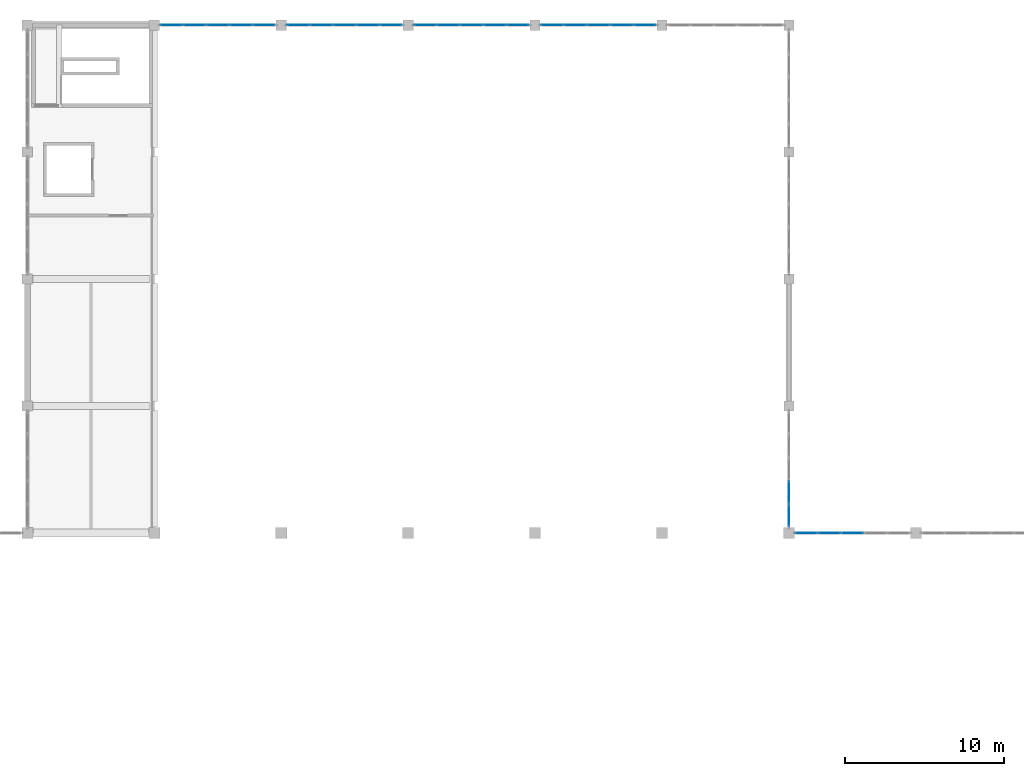
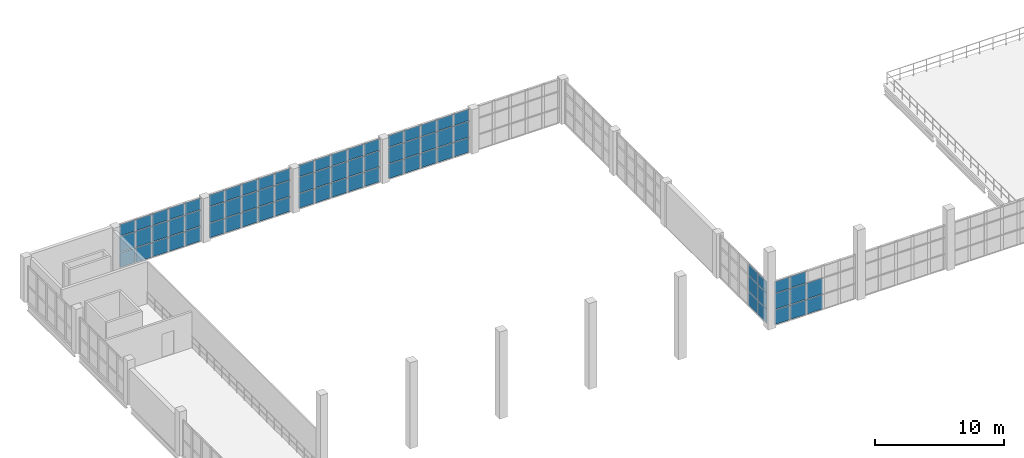
# One storey, part 39 of 66: 74 plates, 6 elements without a shape of their own.
"""IFC4 building model written with IfcOpenShell, lengths in metres."""

from ifc_helpers import new_model, si_unit, direction, frame, origin, origin_2d, place, context, subcontext, project, spatial, rectangle, extrude, material, layer, layer_set, type_object, element, aggregate, save


model = new_model("IFC4")

# Units and contexts
model_context = context("Model", 3, precision=1e-05, world=origin(), true_north=direction((0.0, 1.0)))
body_context = subcontext(model_context, "Body", "Model", "MODEL_VIEW")
ifc_project = project(units=[si_unit("LENGTHUNIT", "METRE"), si_unit("AREAUNIT", "SQUARE_METRE"), si_unit("VOLUMEUNIT", "CUBIC_METRE"), si_unit("PLANEANGLEUNIT", "RADIAN"), si_unit("MASSUNIT", "GRAM", prefix="KILO")], contexts=[model_context])

# Site, building, storey
site_placement = place(None, origin())
site = spatial("IfcSite", under=ifc_project, at=site_placement, CompositionType="ELEMENT")
building_placement = place(site_placement, origin())
building = spatial("IfcBuilding", under=site, at=building_placement, Name="Drelvana Railside Aquatics Centre", CompositionType="ELEMENT")
storey_placement = place(building_placement, frame((0.0, 0.0, 10.199951171875)))
storey = spatial("IfcBuildingStorey", under=building, at=storey_placement, Name="L02", CompositionType="ELEMENT", Elevation=10.199951171875)

# Curtain wall, plates
ifc_material_1 = material(Name="Bronze-anodised aluminium curtain wall", Category="aluminium")
ifc_layer_1 = layer(ifc_material_1, 0.219970703125, Name="Bronze-anodised aluminium curtain wall")
ifc_layer_set_1 = layer_set([ifc_layer_1], Name="Bronze-anodised aluminium curtain wall")
curtain_wall_type = type_object("IfcCurtainWallType", Name="CW-Z3-HIGH", PredefinedType="NOTDEFINED", material=ifc_layer_set_1)
curtain_wall_1_placement = place(storey_placement, origin())
curtain_wall_1 = element("IfcCurtainWall", 1, at=curtain_wall_1_placement, inside=storey, type_object=curtain_wall_type, Name="Curtain wall CW-03-022", PredefinedType="NOTDEFINED")
ifc_material_2 = material(Name="Double-glazed low-e solar-control glass", Category="glass")
ifc_layer_2 = layer(ifc_material_2, 0.035888671875, Name="Double-glazed low-e solar-control glass")
ifc_layer_set_2 = layer_set([ifc_layer_2], Name="Double-glazed low-e solar-control glass")
plate_type = type_object("IfcPlateType", Name="CW-Z3-HIGH-PAN", PredefinedType="CURTAIN_PANEL", material=ifc_layer_set_2)
plate_1_placement = place(storey_placement, frame((73.09521484375, 84.0, 0.06396484375), z_axis=(0.0, 0.0, 1.0), x_axis=(1.0, 0.0, 0.0)))
plate_1 = element("IfcPlate", 2, at=plate_1_placement, type_object=plate_type, Name="CW-03 panel 1.1", PredefinedType="CURTAIN_PANEL", context=body_context, shape_type="SweptSolid", body=[
    extrude(rectangle(XDim=1.352294921875, YDim=0.035888671875, at=origin_2d()), origin(), (0.0, 0.0, 1.0), 1.366455078125),
])
plate_2_placement = place(storey_placement, frame((73.09521484375, 84.0, 1.49560546875), z_axis=(0.0, 0.0, 1.0), x_axis=(1.0, 0.0, 0.0)))
plate_2 = element("IfcPlate", 3, at=plate_2_placement, type_object=plate_type, Name="CW-03 panel 1.2", PredefinedType="CURTAIN_PANEL", context=body_context, shape_type="SweptSolid", body=[
    extrude(rectangle(XDim=1.352294921875, YDim=0.035888671875, at=origin_2d()), origin(), (0.0, 0.0, 1.0), 1.487060546875),
])
plate_3_placement = place(storey_placement, frame((73.09521484375, 84.0, 3.04736328125), z_axis=(0.0, 0.0, 1.0), x_axis=(1.0, 0.0, 0.0)))
plate_3 = element("IfcPlate", 4, at=plate_3_placement, type_object=plate_type, Name="CW-03 panel 1.3", PredefinedType="CURTAIN_PANEL", context=body_context, shape_type="SweptSolid", body=[
    extrude(rectangle(XDim=1.352294921875, YDim=0.035888671875, at=origin_2d()), origin(), (0.0, 0.0, 1.0), 1.072509765625),
])
plate_4_placement = place(storey_placement, frame((74.53759765625, 84.0, 0.06396484375), z_axis=(0.0, 0.0, 1.0), x_axis=(1.0, 0.0, 0.0)))
plate_4 = element("IfcPlate", 5, at=plate_4_placement, type_object=plate_type, Name="CW-03 panel 2.1", PredefinedType="CURTAIN_PANEL", context=body_context, shape_type="SweptSolid", body=[
    extrude(rectangle(XDim=1.392333984375, YDim=0.035888671875, at=origin_2d()), origin(), (0.0, 0.0, 1.0), 1.366455078125),
])
plate_5_placement = place(storey_placement, frame((74.53759765625, 84.0, 1.49560546875), z_axis=(0.0, 0.0, 1.0), x_axis=(1.0, 0.0, 0.0)))
plate_5 = element("IfcPlate", 6, at=plate_5_placement, type_object=plate_type, Name="CW-03 panel 2.2", PredefinedType="CURTAIN_PANEL", context=body_context, shape_type="SweptSolid", body=[
    extrude(rectangle(XDim=1.392333984375, YDim=0.035888671875, at=origin_2d()), origin(), (0.0, 0.0, 1.0), 1.487060546875),
])
plate_6_placement = place(storey_placement, frame((74.53759765625, 84.0, 3.04736328125), z_axis=(0.0, 0.0, 1.0), x_axis=(1.0, 0.0, 0.0)))
plate_6 = element("IfcPlate", 7, at=plate_6_placement, type_object=plate_type, Name="CW-03 panel 2.3", PredefinedType="CURTAIN_PANEL", context=body_context, shape_type="SweptSolid", body=[
    extrude(rectangle(XDim=1.392333984375, YDim=0.035888671875, at=origin_2d()), origin(), (0.0, 0.0, 1.0), 1.072509765625),
])
plate_7_placement = place(storey_placement, frame((76.0, 84.0, 0.06396484375), z_axis=(0.0, 0.0, 1.0), x_axis=(1.0, 0.0, 0.0)))
plate_7 = element("IfcPlate", 8, at=plate_7_placement, type_object=plate_type, Name="CW-03 panel 3.1", PredefinedType="CURTAIN_PANEL", context=body_context, shape_type="SweptSolid", body=[
    extrude(rectangle(XDim=1.392333984375, YDim=0.035888671875, at=origin_2d()), origin(), (0.0, 0.0, 1.0), 1.366455078125),
])
plate_8_placement = place(storey_placement, frame((76.0, 84.0, 1.49560546875), z_axis=(0.0, 0.0, 1.0), x_axis=(1.0, 0.0, 0.0)))
plate_8 = element("IfcPlate", 9, at=plate_8_placement, type_object=plate_type, Name="CW-03 panel 3.2", PredefinedType="CURTAIN_PANEL", context=body_context, shape_type="SweptSolid", body=[
    extrude(rectangle(XDim=1.392333984375, YDim=0.035888671875, at=origin_2d()), origin(), (0.0, 0.0, 1.0), 1.487060546875),
])
aggregate(curtain_wall_1, [plate_1, plate_2, plate_3, plate_4, plate_5, plate_6, plate_7, plate_8])

curtain_wall_2_placement = place(storey_placement, origin())
curtain_wall_2 = element("IfcCurtainWall", 10, at=curtain_wall_2_placement, inside=storey, type_object=curtain_wall_type, Name="Curtain wall CW-03-030", PredefinedType="NOTDEFINED")
plate_9_placement = place(storey_placement, frame((33.0751953125, 116.0, 0.06396484375), z_axis=(0.0, 0.0, 1.0), x_axis=(1.0, 0.0, 0.0)))
plate_9 = element("IfcPlate", 11, at=plate_9_placement, type_object=plate_type, Name="CW-03 panel 1.1", PredefinedType="CURTAIN_PANEL", context=body_context, shape_type="SweptSolid", body=[
    extrude(rectangle(XDim=1.3623046875, YDim=0.035888671875, at=origin_2d()), origin(), (0.0, 0.0, 1.0), 1.366455078125),
])
plate_10_placement = place(storey_placement, frame((33.0751953125, 116.0, 1.49560546875), z_axis=(0.0, 0.0, 1.0), x_axis=(1.0, 0.0, 0.0)))
plate_10 = element("IfcPlate", 12, at=plate_10_placement, type_object=plate_type, Name="CW-03 panel 1.2", PredefinedType="CURTAIN_PANEL", context=body_context, shape_type="SweptSolid", body=[
    extrude(rectangle(XDim=1.3623046875, YDim=0.035888671875, at=origin_2d()), origin(), (0.0, 0.0, 1.0), 1.487060546875),
])
plate_11_placement = place(storey_placement, frame((33.0751953125, 116.0, 3.04736328125), z_axis=(0.0, 0.0, 1.0), x_axis=(1.0, 0.0, 0.0)))
plate_11 = element("IfcPlate", 13, at=plate_11_placement, type_object=plate_type, Name="CW-03 panel 1.3", PredefinedType="CURTAIN_PANEL", context=body_context, shape_type="SweptSolid", body=[
    extrude(rectangle(XDim=1.3623046875, YDim=0.035888671875, at=origin_2d()), origin(), (0.0, 0.0, 1.0), 1.072509765625),
])
plate_12_placement = place(storey_placement, frame((34.527587890625, 116.0, 0.06396484375), z_axis=(0.0, 0.0, 1.0), x_axis=(1.0, 0.0, 0.0)))
plate_12 = element("IfcPlate", 14, at=plate_12_placement, type_object=plate_type, Name="CW-03 panel 2.1", PredefinedType="CURTAIN_PANEL", context=body_context, shape_type="SweptSolid", body=[
    extrude(rectangle(XDim=1.40234375, YDim=0.035888671875, at=origin_2d()), origin(), (0.0, 0.0, 1.0), 1.366455078125),
])
plate_13_placement = place(storey_placement, frame((34.527587890625, 116.0, 1.49560546875), z_axis=(0.0, 0.0, 1.0), x_axis=(1.0, 0.0, 0.0)))
plate_13 = element("IfcPlate", 15, at=plate_13_placement, type_object=plate_type, Name="CW-03 panel 2.2", PredefinedType="CURTAIN_PANEL", context=body_context, shape_type="SweptSolid", body=[
    extrude(rectangle(XDim=1.40234375, YDim=0.035888671875, at=origin_2d()), origin(), (0.0, 0.0, 1.0), 1.487060546875),
])
plate_14_placement = place(storey_placement, frame((34.527587890625, 116.0, 3.04736328125), z_axis=(0.0, 0.0, 1.0), x_axis=(1.0, 0.0, 0.0)))
plate_14 = element("IfcPlate", 16, at=plate_14_placement, type_object=plate_type, Name="CW-03 panel 2.3", PredefinedType="CURTAIN_PANEL", context=body_context, shape_type="SweptSolid", body=[
    extrude(rectangle(XDim=1.40234375, YDim=0.035888671875, at=origin_2d()), origin(), (0.0, 0.0, 1.0), 1.072509765625),
])
plate_15_placement = place(storey_placement, frame((36.0, 116.0, 0.06396484375), z_axis=(0.0, 0.0, 1.0), x_axis=(1.0, 0.0, 0.0)))
plate_15 = element("IfcPlate", 17, at=plate_15_placement, type_object=plate_type, Name="CW-03 panel 3.1", PredefinedType="CURTAIN_PANEL", context=body_context, shape_type="SweptSolid", body=[
    extrude(rectangle(XDim=1.40234375, YDim=0.035888671875, at=origin_2d()), origin(), (0.0, 0.0, 1.0), 1.366455078125),
])
plate_16_placement = place(storey_placement, frame((36.0, 116.0, 1.49560546875), z_axis=(0.0, 0.0, 1.0), x_axis=(1.0, 0.0, 0.0)))
plate_16 = element("IfcPlate", 18, at=plate_16_placement, type_object=plate_type, Name="CW-03 panel 3.2", PredefinedType="CURTAIN_PANEL", context=body_context, shape_type="SweptSolid", body=[
    extrude(rectangle(XDim=1.40234375, YDim=0.035888671875, at=origin_2d()), origin(), (0.0, 0.0, 1.0), 1.487060546875),
])
plate_17_placement = place(storey_placement, frame((36.0, 116.0, 3.04736328125), z_axis=(0.0, 0.0, 1.0), x_axis=(1.0, 0.0, 0.0)))
plate_17 = element("IfcPlate", 19, at=plate_17_placement, type_object=plate_type, Name="CW-03 panel 3.3", PredefinedType="CURTAIN_PANEL", context=body_context, shape_type="SweptSolid", body=[
    extrude(rectangle(XDim=1.40234375, YDim=0.035888671875, at=origin_2d()), origin(), (0.0, 0.0, 1.0), 1.072509765625),
])
plate_18_placement = place(storey_placement, frame((37.472412109375, 116.0, 0.06396484375), z_axis=(0.0, 0.0, 1.0), x_axis=(1.0, 0.0, 0.0)))
plate_18 = element("IfcPlate", 20, at=plate_18_placement, type_object=plate_type, Name="CW-03 panel 4.1", PredefinedType="CURTAIN_PANEL", context=body_context, shape_type="SweptSolid", body=[
    extrude(rectangle(XDim=1.40234375, YDim=0.035888671875, at=origin_2d()), origin(), (0.0, 0.0, 1.0), 1.366455078125),
])
plate_19_placement = place(storey_placement, frame((37.472412109375, 116.0, 1.49560546875), z_axis=(0.0, 0.0, 1.0), x_axis=(1.0, 0.0, 0.0)))
plate_19 = element("IfcPlate", 21, at=plate_19_placement, type_object=plate_type, Name="CW-03 panel 4.2", PredefinedType="CURTAIN_PANEL", context=body_context, shape_type="SweptSolid", body=[
    extrude(rectangle(XDim=1.40234375, YDim=0.035888671875, at=origin_2d()), origin(), (0.0, 0.0, 1.0), 1.487060546875),
])
plate_20_placement = place(storey_placement, frame((37.472412109375, 116.0, 3.04736328125), z_axis=(0.0, 0.0, 1.0), x_axis=(1.0, 0.0, 0.0)))
plate_20 = element("IfcPlate", 22, at=plate_20_placement, type_object=plate_type, Name="CW-03 panel 4.3", PredefinedType="CURTAIN_PANEL", context=body_context, shape_type="SweptSolid", body=[
    extrude(rectangle(XDim=1.40234375, YDim=0.035888671875, at=origin_2d()), origin(), (0.0, 0.0, 1.0), 1.072509765625),
])
plate_21_placement = place(storey_placement, frame((38.9248046875, 116.0, 0.06396484375), z_axis=(0.0, 0.0, 1.0), x_axis=(1.0, 0.0, 0.0)))
plate_21 = element("IfcPlate", 23, at=plate_21_placement, type_object=plate_type, Name="CW-03 panel 5.1", PredefinedType="CURTAIN_PANEL", context=body_context, shape_type="SweptSolid", body=[
    extrude(rectangle(XDim=1.3623046875, YDim=0.035888671875, at=origin_2d()), origin(), (0.0, 0.0, 1.0), 1.366455078125),
])
plate_22_placement = place(storey_placement, frame((38.9248046875, 116.0, 1.49560546875), z_axis=(0.0, 0.0, 1.0), x_axis=(1.0, 0.0, 0.0)))
plate_22 = element("IfcPlate", 24, at=plate_22_placement, type_object=plate_type, Name="CW-03 panel 5.2", PredefinedType="CURTAIN_PANEL", context=body_context, shape_type="SweptSolid", body=[
    extrude(rectangle(XDim=1.3623046875, YDim=0.035888671875, at=origin_2d()), origin(), (0.0, 0.0, 1.0), 1.487060546875),
])
plate_23_placement = place(storey_placement, frame((38.9248046875, 116.0, 3.04736328125), z_axis=(0.0, 0.0, 1.0), x_axis=(1.0, 0.0, 0.0)))
plate_23 = element("IfcPlate", 25, at=plate_23_placement, type_object=plate_type, Name="CW-03 panel 5.3", PredefinedType="CURTAIN_PANEL", context=body_context, shape_type="SweptSolid", body=[
    extrude(rectangle(XDim=1.3623046875, YDim=0.035888671875, at=origin_2d()), origin(), (0.0, 0.0, 1.0), 1.072509765625),
])
aggregate(curtain_wall_2, [plate_9, plate_10, plate_11, plate_12, plate_13, plate_14, plate_15, plate_16, plate_17, plate_18, plate_19, plate_20, plate_21, plate_22, plate_23])

curtain_wall_3_placement = place(storey_placement, origin())
curtain_wall_3 = element("IfcCurtainWall", 26, at=curtain_wall_3_placement, inside=storey, type_object=curtain_wall_type, Name="Curtain wall CW-03-033", PredefinedType="NOTDEFINED")
plate_24_placement = place(storey_placement, frame((41.0751953125, 116.0, 0.06396484375), z_axis=(0.0, 0.0, 1.0), x_axis=(1.0, 0.0, 0.0)))
plate_24 = element("IfcPlate", 27, at=plate_24_placement, type_object=plate_type, Name="CW-03 panel 1.1", PredefinedType="CURTAIN_PANEL", context=body_context, shape_type="SweptSolid", body=[
    extrude(rectangle(XDim=1.3623046875, YDim=0.035888671875, at=origin_2d()), origin(), (0.0, 0.0, 1.0), 1.366455078125),
])
plate_25_placement = place(storey_placement, frame((41.0751953125, 116.0, 1.49560546875), z_axis=(0.0, 0.0, 1.0), x_axis=(1.0, 0.0, 0.0)))
plate_25 = element("IfcPlate", 28, at=plate_25_placement, type_object=plate_type, Name="CW-03 panel 1.2", PredefinedType="CURTAIN_PANEL", context=body_context, shape_type="SweptSolid", body=[
    extrude(rectangle(XDim=1.3623046875, YDim=0.035888671875, at=origin_2d()), origin(), (0.0, 0.0, 1.0), 1.487060546875),
])
plate_26_placement = place(storey_placement, frame((41.0751953125, 116.0, 3.04736328125), z_axis=(0.0, 0.0, 1.0), x_axis=(1.0, 0.0, 0.0)))
plate_26 = element("IfcPlate", 29, at=plate_26_placement, type_object=plate_type, Name="CW-03 panel 1.3", PredefinedType="CURTAIN_PANEL", context=body_context, shape_type="SweptSolid", body=[
    extrude(rectangle(XDim=1.3623046875, YDim=0.035888671875, at=origin_2d()), origin(), (0.0, 0.0, 1.0), 1.072509765625),
])
plate_27_placement = place(storey_placement, frame((42.527587890625, 116.0, 0.06396484375), z_axis=(0.0, 0.0, 1.0), x_axis=(1.0, 0.0, 0.0)))
plate_27 = element("IfcPlate", 30, at=plate_27_placement, type_object=plate_type, Name="CW-03 panel 2.1", PredefinedType="CURTAIN_PANEL", context=body_context, shape_type="SweptSolid", body=[
    extrude(rectangle(XDim=1.40234375, YDim=0.035888671875, at=origin_2d()), origin(), (0.0, 0.0, 1.0), 1.366455078125),
])
plate_28_placement = place(storey_placement, frame((42.527587890625, 116.0, 1.49560546875), z_axis=(0.0, 0.0, 1.0), x_axis=(1.0, 0.0, 0.0)))
plate_28 = element("IfcPlate", 31, at=plate_28_placement, type_object=plate_type, Name="CW-03 panel 2.2", PredefinedType="CURTAIN_PANEL", context=body_context, shape_type="SweptSolid", body=[
    extrude(rectangle(XDim=1.40234375, YDim=0.035888671875, at=origin_2d()), origin(), (0.0, 0.0, 1.0), 1.487060546875),
])
plate_29_placement = place(storey_placement, frame((42.527587890625, 116.0, 3.04736328125), z_axis=(0.0, 0.0, 1.0), x_axis=(1.0, 0.0, 0.0)))
plate_29 = element("IfcPlate", 32, at=plate_29_placement, type_object=plate_type, Name="CW-03 panel 2.3", PredefinedType="CURTAIN_PANEL", context=body_context, shape_type="SweptSolid", body=[
    extrude(rectangle(XDim=1.40234375, YDim=0.035888671875, at=origin_2d()), origin(), (0.0, 0.0, 1.0), 1.072509765625),
])
plate_30_placement = place(storey_placement, frame((44.0, 116.0, 0.06396484375), z_axis=(0.0, 0.0, 1.0), x_axis=(1.0, 0.0, 0.0)))
plate_30 = element("IfcPlate", 33, at=plate_30_placement, type_object=plate_type, Name="CW-03 panel 3.1", PredefinedType="CURTAIN_PANEL", context=body_context, shape_type="SweptSolid", body=[
    extrude(rectangle(XDim=1.40234375, YDim=0.035888671875, at=origin_2d()), origin(), (0.0, 0.0, 1.0), 1.366455078125),
])
plate_31_placement = place(storey_placement, frame((44.0, 116.0, 1.49560546875), z_axis=(0.0, 0.0, 1.0), x_axis=(1.0, 0.0, 0.0)))
plate_31 = element("IfcPlate", 34, at=plate_31_placement, type_object=plate_type, Name="CW-03 panel 3.2", PredefinedType="CURTAIN_PANEL", context=body_context, shape_type="SweptSolid", body=[
    extrude(rectangle(XDim=1.40234375, YDim=0.035888671875, at=origin_2d()), origin(), (0.0, 0.0, 1.0), 1.487060546875),
])
plate_32_placement = place(storey_placement, frame((44.0, 116.0, 3.04736328125), z_axis=(0.0, 0.0, 1.0), x_axis=(1.0, 0.0, 0.0)))
plate_32 = element("IfcPlate", 35, at=plate_32_placement, type_object=plate_type, Name="CW-03 panel 3.3", PredefinedType="CURTAIN_PANEL", context=body_context, shape_type="SweptSolid", body=[
    extrude(rectangle(XDim=1.40234375, YDim=0.035888671875, at=origin_2d()), origin(), (0.0, 0.0, 1.0), 1.072509765625),
])
plate_33_placement = place(storey_placement, frame((45.472412109375, 116.0, 0.06396484375), z_axis=(0.0, 0.0, 1.0), x_axis=(1.0, 0.0, 0.0)))
plate_33 = element("IfcPlate", 36, at=plate_33_placement, type_object=plate_type, Name="CW-03 panel 4.1", PredefinedType="CURTAIN_PANEL", context=body_context, shape_type="SweptSolid", body=[
    extrude(rectangle(XDim=1.40234375, YDim=0.035888671875, at=origin_2d()), origin(), (0.0, 0.0, 1.0), 1.366455078125),
])
plate_34_placement = place(storey_placement, frame((45.472412109375, 116.0, 1.49560546875), z_axis=(0.0, 0.0, 1.0), x_axis=(1.0, 0.0, 0.0)))
plate_34 = element("IfcPlate", 37, at=plate_34_placement, type_object=plate_type, Name="CW-03 panel 4.2", PredefinedType="CURTAIN_PANEL", context=body_context, shape_type="SweptSolid", body=[
    extrude(rectangle(XDim=1.40234375, YDim=0.035888671875, at=origin_2d()), origin(), (0.0, 0.0, 1.0), 1.487060546875),
])
plate_35_placement = place(storey_placement, frame((45.472412109375, 116.0, 3.04736328125), z_axis=(0.0, 0.0, 1.0), x_axis=(1.0, 0.0, 0.0)))
plate_35 = element("IfcPlate", 38, at=plate_35_placement, type_object=plate_type, Name="CW-03 panel 4.3", PredefinedType="CURTAIN_PANEL", context=body_context, shape_type="SweptSolid", body=[
    extrude(rectangle(XDim=1.40234375, YDim=0.035888671875, at=origin_2d()), origin(), (0.0, 0.0, 1.0), 1.072509765625),
])
plate_36_placement = place(storey_placement, frame((46.9248046875, 116.0, 0.06396484375), z_axis=(0.0, 0.0, 1.0), x_axis=(1.0, 0.0, 0.0)))
plate_36 = element("IfcPlate", 39, at=plate_36_placement, type_object=plate_type, Name="CW-03 panel 5.1", PredefinedType="CURTAIN_PANEL", context=body_context, shape_type="SweptSolid", body=[
    extrude(rectangle(XDim=1.3623046875, YDim=0.035888671875, at=origin_2d()), origin(), (0.0, 0.0, 1.0), 1.366455078125),
])
plate_37_placement = place(storey_placement, frame((46.9248046875, 116.0, 1.49560546875), z_axis=(0.0, 0.0, 1.0), x_axis=(1.0, 0.0, 0.0)))
plate_37 = element("IfcPlate", 40, at=plate_37_placement, type_object=plate_type, Name="CW-03 panel 5.2", PredefinedType="CURTAIN_PANEL", context=body_context, shape_type="SweptSolid", body=[
    extrude(rectangle(XDim=1.3623046875, YDim=0.035888671875, at=origin_2d()), origin(), (0.0, 0.0, 1.0), 1.487060546875),
])
plate_38_placement = place(storey_placement, frame((46.9248046875, 116.0, 3.04736328125), z_axis=(0.0, 0.0, 1.0), x_axis=(1.0, 0.0, 0.0)))
plate_38 = element("IfcPlate", 41, at=plate_38_placement, type_object=plate_type, Name="CW-03 panel 5.3", PredefinedType="CURTAIN_PANEL", context=body_context, shape_type="SweptSolid", body=[
    extrude(rectangle(XDim=1.3623046875, YDim=0.035888671875, at=origin_2d()), origin(), (0.0, 0.0, 1.0), 1.072509765625),
])
aggregate(curtain_wall_3, [plate_24, plate_25, plate_26, plate_27, plate_28, plate_29, plate_30, plate_31, plate_32, plate_33, plate_34, plate_35, plate_36, plate_37, plate_38])

curtain_wall_4_placement = place(storey_placement, origin())
curtain_wall_4 = element("IfcCurtainWall", 42, at=curtain_wall_4_placement, inside=storey, type_object=curtain_wall_type, Name="Curtain wall CW-03-036", PredefinedType="NOTDEFINED")
plate_39_placement = place(storey_placement, frame((49.0751953125, 116.0, 0.06396484375), z_axis=(0.0, 0.0, 1.0), x_axis=(1.0, 0.0, 0.0)))
plate_39 = element("IfcPlate", 43, at=plate_39_placement, type_object=plate_type, Name="CW-03 panel 1.1", PredefinedType="CURTAIN_PANEL", context=body_context, shape_type="SweptSolid", body=[
    extrude(rectangle(XDim=1.3623046875, YDim=0.035888671875, at=origin_2d()), origin(), (0.0, 0.0, 1.0), 1.366455078125),
])
plate_40_placement = place(storey_placement, frame((49.0751953125, 116.0, 1.49560546875), z_axis=(0.0, 0.0, 1.0), x_axis=(1.0, 0.0, 0.0)))
plate_40 = element("IfcPlate", 44, at=plate_40_placement, type_object=plate_type, Name="CW-03 panel 1.2", PredefinedType="CURTAIN_PANEL", context=body_context, shape_type="SweptSolid", body=[
    extrude(rectangle(XDim=1.3623046875, YDim=0.035888671875, at=origin_2d()), origin(), (0.0, 0.0, 1.0), 1.487060546875),
])
plate_41_placement = place(storey_placement, frame((49.0751953125, 116.0, 3.04736328125), z_axis=(0.0, 0.0, 1.0), x_axis=(1.0, 0.0, 0.0)))
plate_41 = element("IfcPlate", 45, at=plate_41_placement, type_object=plate_type, Name="CW-03 panel 1.3", PredefinedType="CURTAIN_PANEL", context=body_context, shape_type="SweptSolid", body=[
    extrude(rectangle(XDim=1.3623046875, YDim=0.035888671875, at=origin_2d()), origin(), (0.0, 0.0, 1.0), 1.072509765625),
])
plate_42_placement = place(storey_placement, frame((50.527587890625, 116.0, 0.06396484375), z_axis=(0.0, 0.0, 1.0), x_axis=(1.0, 0.0, 0.0)))
plate_42 = element("IfcPlate", 46, at=plate_42_placement, type_object=plate_type, Name="CW-03 panel 2.1", PredefinedType="CURTAIN_PANEL", context=body_context, shape_type="SweptSolid", body=[
    extrude(rectangle(XDim=1.40234375, YDim=0.035888671875, at=origin_2d()), origin(), (0.0, 0.0, 1.0), 1.366455078125),
])
plate_43_placement = place(storey_placement, frame((50.527587890625, 116.0, 1.49560546875), z_axis=(0.0, 0.0, 1.0), x_axis=(1.0, 0.0, 0.0)))
plate_43 = element("IfcPlate", 47, at=plate_43_placement, type_object=plate_type, Name="CW-03 panel 2.2", PredefinedType="CURTAIN_PANEL", context=body_context, shape_type="SweptSolid", body=[
    extrude(rectangle(XDim=1.40234375, YDim=0.035888671875, at=origin_2d()), origin(), (0.0, 0.0, 1.0), 1.487060546875),
])
plate_44_placement = place(storey_placement, frame((50.527587890625, 116.0, 3.04736328125), z_axis=(0.0, 0.0, 1.0), x_axis=(1.0, 0.0, 0.0)))
plate_44 = element("IfcPlate", 48, at=plate_44_placement, type_object=plate_type, Name="CW-03 panel 2.3", PredefinedType="CURTAIN_PANEL", context=body_context, shape_type="SweptSolid", body=[
    extrude(rectangle(XDim=1.40234375, YDim=0.035888671875, at=origin_2d()), origin(), (0.0, 0.0, 1.0), 1.072509765625),
])
plate_45_placement = place(storey_placement, frame((52.0, 116.0, 0.06396484375), z_axis=(0.0, 0.0, 1.0), x_axis=(1.0, 0.0, 0.0)))
plate_45 = element("IfcPlate", 49, at=plate_45_placement, type_object=plate_type, Name="CW-03 panel 3.1", PredefinedType="CURTAIN_PANEL", context=body_context, shape_type="SweptSolid", body=[
    extrude(rectangle(XDim=1.40234375, YDim=0.035888671875, at=origin_2d()), origin(), (0.0, 0.0, 1.0), 1.366455078125),
])
plate_46_placement = place(storey_placement, frame((52.0, 116.0, 1.49560546875), z_axis=(0.0, 0.0, 1.0), x_axis=(1.0, 0.0, 0.0)))
plate_46 = element("IfcPlate", 50, at=plate_46_placement, type_object=plate_type, Name="CW-03 panel 3.2", PredefinedType="CURTAIN_PANEL", context=body_context, shape_type="SweptSolid", body=[
    extrude(rectangle(XDim=1.40234375, YDim=0.035888671875, at=origin_2d()), origin(), (0.0, 0.0, 1.0), 1.487060546875),
])
plate_47_placement = place(storey_placement, frame((52.0, 116.0, 3.04736328125), z_axis=(0.0, 0.0, 1.0), x_axis=(1.0, 0.0, 0.0)))
plate_47 = element("IfcPlate", 51, at=plate_47_placement, type_object=plate_type, Name="CW-03 panel 3.3", PredefinedType="CURTAIN_PANEL", context=body_context, shape_type="SweptSolid", body=[
    extrude(rectangle(XDim=1.40234375, YDim=0.035888671875, at=origin_2d()), origin(), (0.0, 0.0, 1.0), 1.072509765625),
])
plate_48_placement = place(storey_placement, frame((53.472412109375, 116.0, 0.06396484375), z_axis=(0.0, 0.0, 1.0), x_axis=(1.0, 0.0, 0.0)))
plate_48 = element("IfcPlate", 52, at=plate_48_placement, type_object=plate_type, Name="CW-03 panel 4.1", PredefinedType="CURTAIN_PANEL", context=body_context, shape_type="SweptSolid", body=[
    extrude(rectangle(XDim=1.40234375, YDim=0.035888671875, at=origin_2d()), origin(), (0.0, 0.0, 1.0), 1.366455078125),
])
plate_49_placement = place(storey_placement, frame((53.472412109375, 116.0, 1.49560546875), z_axis=(0.0, 0.0, 1.0), x_axis=(1.0, 0.0, 0.0)))
plate_49 = element("IfcPlate", 53, at=plate_49_placement, type_object=plate_type, Name="CW-03 panel 4.2", PredefinedType="CURTAIN_PANEL", context=body_context, shape_type="SweptSolid", body=[
    extrude(rectangle(XDim=1.40234375, YDim=0.035888671875, at=origin_2d()), origin(), (0.0, 0.0, 1.0), 1.487060546875),
])
plate_50_placement = place(storey_placement, frame((53.472412109375, 116.0, 3.04736328125), z_axis=(0.0, 0.0, 1.0), x_axis=(1.0, 0.0, 0.0)))
plate_50 = element("IfcPlate", 54, at=plate_50_placement, type_object=plate_type, Name="CW-03 panel 4.3", PredefinedType="CURTAIN_PANEL", context=body_context, shape_type="SweptSolid", body=[
    extrude(rectangle(XDim=1.40234375, YDim=0.035888671875, at=origin_2d()), origin(), (0.0, 0.0, 1.0), 1.072509765625),
])
plate_51_placement = place(storey_placement, frame((54.9248046875, 116.0, 0.06396484375), z_axis=(0.0, 0.0, 1.0), x_axis=(1.0, 0.0, 0.0)))
plate_51 = element("IfcPlate", 55, at=plate_51_placement, type_object=plate_type, Name="CW-03 panel 5.1", PredefinedType="CURTAIN_PANEL", context=body_context, shape_type="SweptSolid", body=[
    extrude(rectangle(XDim=1.3623046875, YDim=0.035888671875, at=origin_2d()), origin(), (0.0, 0.0, 1.0), 1.366455078125),
])
plate_52_placement = place(storey_placement, frame((54.9248046875, 116.0, 1.49560546875), z_axis=(0.0, 0.0, 1.0), x_axis=(1.0, 0.0, 0.0)))
plate_52 = element("IfcPlate", 56, at=plate_52_placement, type_object=plate_type, Name="CW-03 panel 5.2", PredefinedType="CURTAIN_PANEL", context=body_context, shape_type="SweptSolid", body=[
    extrude(rectangle(XDim=1.3623046875, YDim=0.035888671875, at=origin_2d()), origin(), (0.0, 0.0, 1.0), 1.487060546875),
])
plate_53_placement = place(storey_placement, frame((54.9248046875, 116.0, 3.04736328125), z_axis=(0.0, 0.0, 1.0), x_axis=(1.0, 0.0, 0.0)))
plate_53 = element("IfcPlate", 57, at=plate_53_placement, type_object=plate_type, Name="CW-03 panel 5.3", PredefinedType="CURTAIN_PANEL", context=body_context, shape_type="SweptSolid", body=[
    extrude(rectangle(XDim=1.3623046875, YDim=0.035888671875, at=origin_2d()), origin(), (0.0, 0.0, 1.0), 1.072509765625),
])
aggregate(curtain_wall_4, [plate_39, plate_40, plate_41, plate_42, plate_43, plate_44, plate_45, plate_46, plate_47, plate_48, plate_49, plate_50, plate_51, plate_52, plate_53])

curtain_wall_5_placement = place(storey_placement, origin())
curtain_wall_5 = element("IfcCurtainWall", 58, at=curtain_wall_5_placement, inside=storey, type_object=curtain_wall_type, Name="Curtain wall CW-03-039", PredefinedType="NOTDEFINED")
plate_54_placement = place(storey_placement, frame((57.0751953125, 116.0, 0.06396484375), z_axis=(0.0, 0.0, 1.0), x_axis=(1.0, 0.0, 0.0)))
plate_54 = element("IfcPlate", 59, at=plate_54_placement, type_object=plate_type, Name="CW-03 panel 1.1", PredefinedType="CURTAIN_PANEL", context=body_context, shape_type="SweptSolid", body=[
    extrude(rectangle(XDim=1.3623046875, YDim=0.035888671875, at=origin_2d()), origin(), (0.0, 0.0, 1.0), 1.366455078125),
])
plate_55_placement = place(storey_placement, frame((57.0751953125, 116.0, 1.49560546875), z_axis=(0.0, 0.0, 1.0), x_axis=(1.0, 0.0, 0.0)))
plate_55 = element("IfcPlate", 60, at=plate_55_placement, type_object=plate_type, Name="CW-03 panel 1.2", PredefinedType="CURTAIN_PANEL", context=body_context, shape_type="SweptSolid", body=[
    extrude(rectangle(XDim=1.3623046875, YDim=0.035888671875, at=origin_2d()), origin(), (0.0, 0.0, 1.0), 1.487060546875),
])
plate_56_placement = place(storey_placement, frame((57.0751953125, 116.0, 3.04736328125), z_axis=(0.0, 0.0, 1.0), x_axis=(1.0, 0.0, 0.0)))
plate_56 = element("IfcPlate", 61, at=plate_56_placement, type_object=plate_type, Name="CW-03 panel 1.3", PredefinedType="CURTAIN_PANEL", context=body_context, shape_type="SweptSolid", body=[
    extrude(rectangle(XDim=1.3623046875, YDim=0.035888671875, at=origin_2d()), origin(), (0.0, 0.0, 1.0), 1.072509765625),
])
plate_57_placement = place(storey_placement, frame((58.527587890625, 116.0, 0.06396484375), z_axis=(0.0, 0.0, 1.0), x_axis=(1.0, 0.0, 0.0)))
plate_57 = element("IfcPlate", 62, at=plate_57_placement, type_object=plate_type, Name="CW-03 panel 2.1", PredefinedType="CURTAIN_PANEL", context=body_context, shape_type="SweptSolid", body=[
    extrude(rectangle(XDim=1.40234375, YDim=0.035888671875, at=origin_2d()), origin(), (0.0, 0.0, 1.0), 1.366455078125),
])
plate_58_placement = place(storey_placement, frame((58.527587890625, 116.0, 1.49560546875), z_axis=(0.0, 0.0, 1.0), x_axis=(1.0, 0.0, 0.0)))
plate_58 = element("IfcPlate", 63, at=plate_58_placement, type_object=plate_type, Name="CW-03 panel 2.2", PredefinedType="CURTAIN_PANEL", context=body_context, shape_type="SweptSolid", body=[
    extrude(rectangle(XDim=1.40234375, YDim=0.035888671875, at=origin_2d()), origin(), (0.0, 0.0, 1.0), 1.487060546875),
])
plate_59_placement = place(storey_placement, frame((58.527587890625, 116.0, 3.04736328125), z_axis=(0.0, 0.0, 1.0), x_axis=(1.0, 0.0, 0.0)))
plate_59 = element("IfcPlate", 64, at=plate_59_placement, type_object=plate_type, Name="CW-03 panel 2.3", PredefinedType="CURTAIN_PANEL", context=body_context, shape_type="SweptSolid", body=[
    extrude(rectangle(XDim=1.40234375, YDim=0.035888671875, at=origin_2d()), origin(), (0.0, 0.0, 1.0), 1.072509765625),
])
plate_60_placement = place(storey_placement, frame((60.0, 116.0, 0.06396484375), z_axis=(0.0, 0.0, 1.0), x_axis=(1.0, 0.0, 0.0)))
plate_60 = element("IfcPlate", 65, at=plate_60_placement, type_object=plate_type, Name="CW-03 panel 3.1", PredefinedType="CURTAIN_PANEL", context=body_context, shape_type="SweptSolid", body=[
    extrude(rectangle(XDim=1.40234375, YDim=0.035888671875, at=origin_2d()), origin(), (0.0, 0.0, 1.0), 1.366455078125),
])
plate_61_placement = place(storey_placement, frame((60.0, 116.0, 1.49560546875), z_axis=(0.0, 0.0, 1.0), x_axis=(1.0, 0.0, 0.0)))
plate_61 = element("IfcPlate", 66, at=plate_61_placement, type_object=plate_type, Name="CW-03 panel 3.2", PredefinedType="CURTAIN_PANEL", context=body_context, shape_type="SweptSolid", body=[
    extrude(rectangle(XDim=1.40234375, YDim=0.035888671875, at=origin_2d()), origin(), (0.0, 0.0, 1.0), 1.487060546875),
])
plate_62_placement = place(storey_placement, frame((60.0, 116.0, 3.04736328125), z_axis=(0.0, 0.0, 1.0), x_axis=(1.0, 0.0, 0.0)))
plate_62 = element("IfcPlate", 67, at=plate_62_placement, type_object=plate_type, Name="CW-03 panel 3.3", PredefinedType="CURTAIN_PANEL", context=body_context, shape_type="SweptSolid", body=[
    extrude(rectangle(XDim=1.40234375, YDim=0.035888671875, at=origin_2d()), origin(), (0.0, 0.0, 1.0), 1.072509765625),
])
plate_63_placement = place(storey_placement, frame((61.472412109375, 116.0, 0.06396484375), z_axis=(0.0, 0.0, 1.0), x_axis=(1.0, 0.0, 0.0)))
plate_63 = element("IfcPlate", 68, at=plate_63_placement, type_object=plate_type, Name="CW-03 panel 4.1", PredefinedType="CURTAIN_PANEL", context=body_context, shape_type="SweptSolid", body=[
    extrude(rectangle(XDim=1.40234375, YDim=0.035888671875, at=origin_2d()), origin(), (0.0, 0.0, 1.0), 1.366455078125),
])
plate_64_placement = place(storey_placement, frame((61.472412109375, 116.0, 1.49560546875), z_axis=(0.0, 0.0, 1.0), x_axis=(1.0, 0.0, 0.0)))
plate_64 = element("IfcPlate", 69, at=plate_64_placement, type_object=plate_type, Name="CW-03 panel 4.2", PredefinedType="CURTAIN_PANEL", context=body_context, shape_type="SweptSolid", body=[
    extrude(rectangle(XDim=1.40234375, YDim=0.035888671875, at=origin_2d()), origin(), (0.0, 0.0, 1.0), 1.487060546875),
])
plate_65_placement = place(storey_placement, frame((61.472412109375, 116.0, 3.04736328125), z_axis=(0.0, 0.0, 1.0), x_axis=(1.0, 0.0, 0.0)))
plate_65 = element("IfcPlate", 70, at=plate_65_placement, type_object=plate_type, Name="CW-03 panel 4.3", PredefinedType="CURTAIN_PANEL", context=body_context, shape_type="SweptSolid", body=[
    extrude(rectangle(XDim=1.40234375, YDim=0.035888671875, at=origin_2d()), origin(), (0.0, 0.0, 1.0), 1.072509765625),
])
plate_66_placement = place(storey_placement, frame((62.9248046875, 116.0, 0.06396484375), z_axis=(0.0, 0.0, 1.0), x_axis=(1.0, 0.0, 0.0)))
plate_66 = element("IfcPlate", 71, at=plate_66_placement, type_object=plate_type, Name="CW-03 panel 5.1", PredefinedType="CURTAIN_PANEL", context=body_context, shape_type="SweptSolid", body=[
    extrude(rectangle(XDim=1.3623046875, YDim=0.035888671875, at=origin_2d()), origin(), (0.0, 0.0, 1.0), 1.366455078125),
])
plate_67_placement = place(storey_placement, frame((62.9248046875, 116.0, 1.49560546875), z_axis=(0.0, 0.0, 1.0), x_axis=(1.0, 0.0, 0.0)))
plate_67 = element("IfcPlate", 72, at=plate_67_placement, type_object=plate_type, Name="CW-03 panel 5.2", PredefinedType="CURTAIN_PANEL", context=body_context, shape_type="SweptSolid", body=[
    extrude(rectangle(XDim=1.3623046875, YDim=0.035888671875, at=origin_2d()), origin(), (0.0, 0.0, 1.0), 1.487060546875),
])
plate_68_placement = place(storey_placement, frame((62.9248046875, 116.0, 3.04736328125), z_axis=(0.0, 0.0, 1.0), x_axis=(1.0, 0.0, 0.0)))
plate_68 = element("IfcPlate", 73, at=plate_68_placement, type_object=plate_type, Name="CW-03 panel 5.3", PredefinedType="CURTAIN_PANEL", context=body_context, shape_type="SweptSolid", body=[
    extrude(rectangle(XDim=1.3623046875, YDim=0.035888671875, at=origin_2d()), origin(), (0.0, 0.0, 1.0), 1.072509765625),
])
aggregate(curtain_wall_5, [plate_54, plate_55, plate_56, plate_57, plate_58, plate_59, plate_60, plate_61, plate_62, plate_63, plate_64, plate_65, plate_66, plate_67, plate_68])

curtain_wall_6_placement = place(storey_placement, origin())
curtain_wall_6 = element("IfcCurtainWall", 74, at=curtain_wall_6_placement, inside=storey, type_object=curtain_wall_type, Name="Curtain wall CW-03-092", PredefinedType="NOTDEFINED")
plate_69_placement = place(storey_placement, frame((72.0, 85.09765625, 0.064208984375), z_axis=(0.0, 0.0, 1.0), x_axis=(0.0, 1.0, 0.0)))
plate_69 = element("IfcPlate", 75, at=plate_69_placement, type_object=plate_type, Name="CW-03 panel 1.1", PredefinedType="CURTAIN_PANEL", context=body_context, shape_type="SweptSolid", body=[
    extrude(rectangle(XDim=1.357421875, YDim=0.035888671875, at=origin_2d()), origin(), (0.0, 0.0, 1.0), 1.3173828125),
])
plate_70_placement = place(storey_placement, frame((72.0, 85.09765625, 1.446533203125), z_axis=(0.0, 0.0, 1.0), x_axis=(0.0, 1.0, 0.0)))
plate_70 = element("IfcPlate", 76, at=plate_70_placement, type_object=plate_type, Name="CW-03 panel 1.2", PredefinedType="CURTAIN_PANEL", context=body_context, shape_type="SweptSolid", body=[
    extrude(rectangle(XDim=1.357421875, YDim=0.035888671875, at=origin_2d()), origin(), (0.0, 0.0, 1.0), 1.43505859375),
])
plate_71_placement = place(storey_placement, frame((72.0, 85.09765625, 2.94677734375), z_axis=(0.0, 0.0, 1.0), x_axis=(0.0, 1.0, 0.0)))
plate_71 = element("IfcPlate", 77, at=plate_71_placement, type_object=plate_type, Name="CW-03 panel 1.3", PredefinedType="CURTAIN_PANEL", context=body_context, shape_type="SweptSolid", body=[
    extrude(rectangle(XDim=1.357421875, YDim=0.035888671875, at=origin_2d()), origin(), (0.0, 0.0, 1.0), 1.033447265625),
])
plate_72_placement = place(storey_placement, frame((72.0, 86.545166015625, 0.064208984375), z_axis=(0.0, 0.0, 1.0), x_axis=(0.0, 1.0, 0.0)))
plate_72 = element("IfcPlate", 78, at=plate_72_placement, type_object=plate_type, Name="CW-03 panel 2.1", PredefinedType="CURTAIN_PANEL", context=body_context, shape_type="SweptSolid", body=[
    extrude(rectangle(XDim=1.3974609375, YDim=0.035888671875, at=origin_2d()), origin(), (0.0, 0.0, 1.0), 1.3173828125),
])
plate_73_placement = place(storey_placement, frame((72.0, 86.545166015625, 1.446533203125), z_axis=(0.0, 0.0, 1.0), x_axis=(0.0, 1.0, 0.0)))
plate_73 = element("IfcPlate", 79, at=plate_73_placement, type_object=plate_type, Name="CW-03 panel 2.2", PredefinedType="CURTAIN_PANEL", context=body_context, shape_type="SweptSolid", body=[
    extrude(rectangle(XDim=1.3974609375, YDim=0.035888671875, at=origin_2d()), origin(), (0.0, 0.0, 1.0), 1.43505859375),
])
plate_74_placement = place(storey_placement, frame((72.0, 86.545166015625, 2.94677734375), z_axis=(0.0, 0.0, 1.0), x_axis=(0.0, 1.0, 0.0)))
plate_74 = element("IfcPlate", 80, at=plate_74_placement, type_object=plate_type, Name="CW-03 panel 2.3", PredefinedType="CURTAIN_PANEL", context=body_context, shape_type="SweptSolid", body=[
    extrude(rectangle(XDim=1.3974609375, YDim=0.035888671875, at=origin_2d()), origin(), (0.0, 0.0, 1.0), 1.033447265625),
])
aggregate(curtain_wall_6, [plate_69, plate_70, plate_71, plate_72, plate_73, plate_74])

save(model, "model.ifc")
